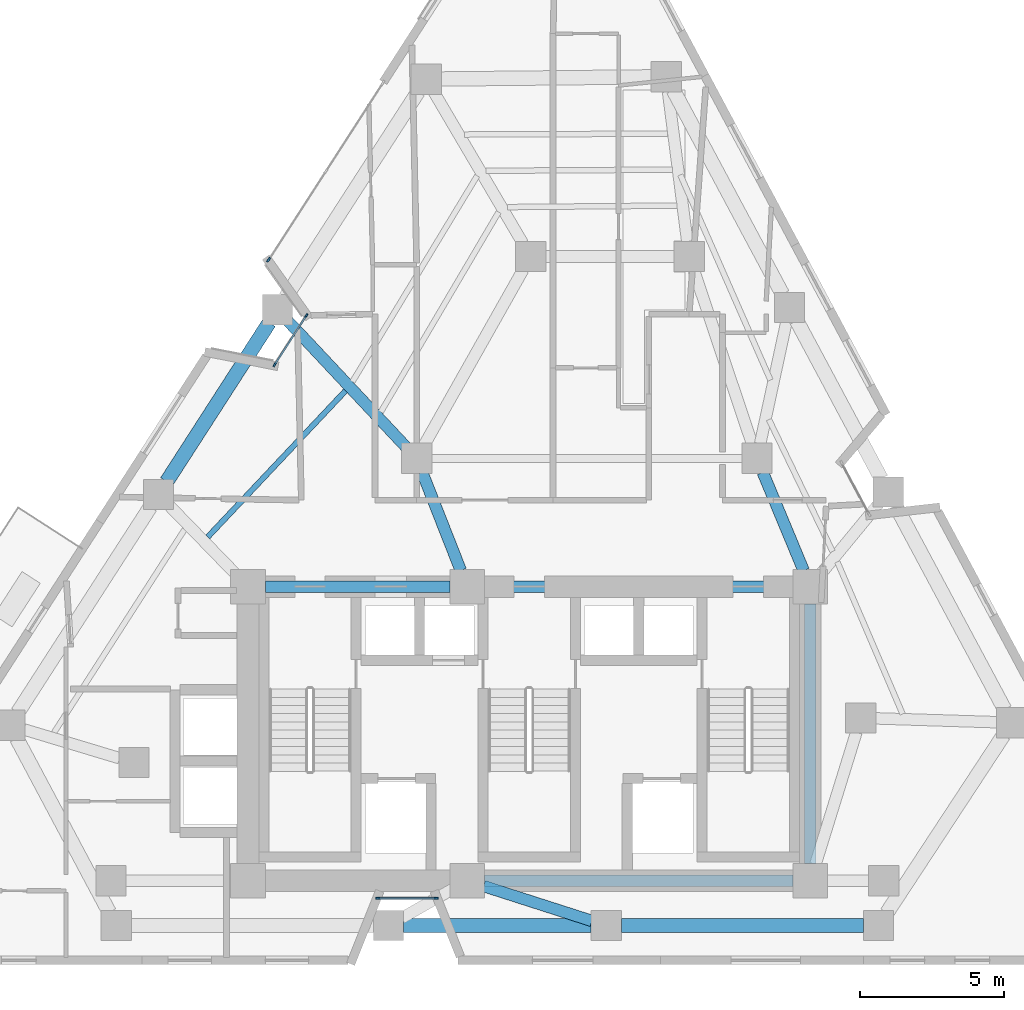
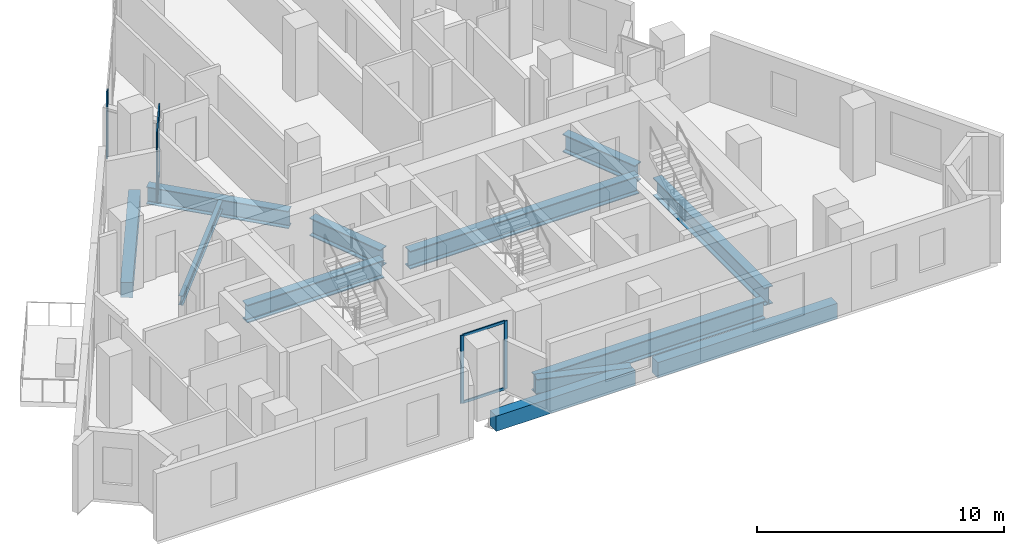
# One storey, part 2 of 11: 12 beams, 9 members, 3 elements without a shape of their own.
"""IFC4 building model written with IfcOpenShell, lengths in metres."""

from ifc_helpers import new_model, si_unit, direction, frame, origin, origin_2d, place, context, subcontext, project, spatial, rectangle, i_section, extrude, material, layer, layer_set, material_profile, profile_set, type_object, element, aggregate, save


model = new_model("IFC4")

# Units and contexts
model_context = context("Model", 3, precision=1e-05, world=origin(), true_north=direction((0.0, 1.0)))
body_context = subcontext(model_context, "Body", "Model", "MODEL_VIEW")
ifc_project = project(units=[si_unit("LENGTHUNIT", "METRE"), si_unit("AREAUNIT", "SQUARE_METRE"), si_unit("VOLUMEUNIT", "CUBIC_METRE"), si_unit("PLANEANGLEUNIT", "RADIAN"), si_unit("MASSUNIT", "GRAM", prefix="KILO")], contexts=[model_context])

# Site, building, storey
site_placement = place(None, origin())
site = spatial("IfcSite", under=ifc_project, at=site_placement, CompositionType="ELEMENT")
building_placement = place(site_placement, origin())
building = spatial("IfcBuilding", under=site, at=building_placement, Name="Almagre Mirador Tower", CompositionType="ELEMENT")
storey_placement = place(building_placement, frame((0.0, 0.0, 178.800048828125)))
storey = spatial("IfcBuildingStorey", under=building, at=storey_placement, Name="L46", CompositionType="ELEMENT", Elevation=178.800048828125)

# Beams
ifc_material_1 = material(Name="Steel ASTM A992 Grade 50", Category="steel")
ifc_material_profile_1 = material_profile(ifc_material_1, i_section(OverallWidth=0.19091796875, OverallDepth=0.4599609375, WebThickness=0.010009765625, FlangeThickness=0.01611328125, FilletRadius=0.01611328125, at=origin_2d()), Name="W18X55")
ifc_profile_set_1 = profile_set([ifc_material_profile_1], Name="Steel ASTM A992 Grade 50")
beam_type_1 = type_object("IfcBeamType", Name="BM-JST-W18X55", PredefinedType="JOIST", material=ifc_profile_set_1)
beam_1_placement = place(storey_placement, frame((30.931396484375, 21.5419921875, -0.47998046875), z_axis=(-0.685923256334, -0.727673887411, 0.0), x_axis=(0.727673887411, -0.685923256334, 0.0)))
element("IfcBeam", 1, at=beam_1_placement, inside=storey, type_object=beam_type_1, Name="L46 secondary floor joist PC10-PC11.2", PredefinedType="JOIST", context=body_context, shape_type="SweptSolid", body=[
    extrude(i_section(OverallWidth=0.19091796875, OverallDepth=0.4599609375, WebThickness=0.010009765625, FlangeThickness=0.01611328125, FilletRadius=0.01611328125, at=origin_2d()), origin(), (0.0, 0.0, 1.0), 6.964599609375),
])
ifc_material_2 = material(Name="Precast concrete C50/60", Category="concrete")
ifc_material_profile_2 = material_profile(ifc_material_2, rectangle(XDim=0.5, YDim=0.75, at=origin_2d()), Name="RC500X750")
ifc_profile_set_2 = profile_set([ifc_material_profile_2], Name="Precast concrete C50/60")
beam_type_2 = type_object("IfcBeamType", Name="BM-SPN-RC500X750", PredefinedType="SPANDREL", material=ifc_profile_set_2)
beam_2_placement = place(storey_placement, frame((32.948974609375, 3.0, -0.625), z_axis=(1.0, 0.0, 0.0), x_axis=(0.0, 1.0, 0.0)))
element("IfcBeam", 2, at=beam_2_placement, inside=storey, type_object=beam_type_2, Name="L46 perimeter spandrel beam PC02-PC03", PredefinedType="SPANDREL", context=body_context, shape_type="SweptSolid", body=[
    extrude(rectangle(XDim=0.5, YDim=0.75, at=origin_2d()), origin(), (0.0, 0.0, 1.0), 6.501953125),
])
beam_3_placement = place(storey_placement, frame((40.5009765625, 3.0, -0.625), z_axis=(1.0, 0.0, 0.0), x_axis=(0.0, 1.0, 0.0)))
element("IfcBeam", 3, at=beam_3_placement, inside=storey, type_object=beam_type_2, Name="L46 perimeter spandrel beam PC03-PC04", PredefinedType="SPANDREL", context=body_context, shape_type="SweptSolid", body=[
    extrude(rectangle(XDim=0.5, YDim=0.75, at=origin_2d()), origin(), (0.0, 0.0, 1.0), 8.39013671875),
])
beam_4_placement = place(storey_placement, frame((28.287353515625, 23.90869140625, -0.625), z_axis=(-0.542031160538, -0.840358388431, 0.0), x_axis=(0.840358388431, -0.542031160538, 0.0)))
element("IfcBeam", 4, at=beam_4_placement, inside=storey, type_object=beam_type_2, Name="L46 perimeter spandrel beam PC10-PC11", PredefinedType="SPANDREL", context=body_context, shape_type="SweptSolid", body=[
    extrude(rectangle(XDim=0.5, YDim=0.75, at=origin_2d()), origin(), (0.0, 0.0, 1.0), 6.565673828125),
])
ifc_material_3 = material(Name="Steel ASTM A992 Grade 50", Category="steel")
ifc_material_profile_3 = material_profile(ifc_material_3, i_section(OverallWidth=0.39892578125, OverallDepth=0.85595703125, WebThickness=0.018310546875, FlangeThickness=0.029296875, FilletRadius=0.02490234375, at=origin_2d()), Name="W33X201")
ifc_profile_set_3 = profile_set([ifc_material_profile_3], Name="Steel ASTM A992 Grade 50")
beam_type_3 = type_object("IfcBeamType", Name="BM-STL-W33X201", PredefinedType="BEAM", material=ifc_profile_set_3)
beam_5_placement = place(storey_placement, frame((39.47607421875, 3.160400390625, -0.677978515625), z_axis=(-0.952092949621, 0.30580878876, 0.0), x_axis=(-0.30580878876, -0.952092949621, 0.0)))
element("IfcBeam", 5, at=beam_5_placement, inside=storey, type_object=beam_type_3, Name="L46 radial floor girder PC03-CC2", PredefinedType="BEAM", context=body_context, shape_type="SweptSolid", body=[
    extrude(i_section(OverallWidth=0.39892578125, OverallDepth=0.85595703125, WebThickness=0.018310546875, FlangeThickness=0.029296875, FilletRadius=0.02490234375, at=origin_2d()), origin(), (0.0, 0.0, 1.0), 3.94384765625),
])
beam_6_placement = place(storey_placement, frame((28.93115234375, 23.967041015625, -0.677978515625), z_axis=(0.683926262896, -0.729551140717, 0.0), x_axis=(0.729551140717, 0.683926262896, 0.0)))
element("IfcBeam", 6, at=beam_6_placement, inside=storey, type_object=beam_type_3, Name="L46 radial floor girder PC10-MC8", PredefinedType="BEAM", context=body_context, shape_type="SweptSolid", body=[
    extrude(i_section(OverallWidth=0.39892578125, OverallDepth=0.85595703125, WebThickness=0.018310546875, FlangeThickness=0.029296875, FilletRadius=0.02490234375, at=origin_2d()), origin(), (0.0, 0.0, 1.0), 6.00927734375),
])
ifc_material_4 = material(Name="Steel ASTM A992 Grade 50", Category="steel")
ifc_material_profile_4 = material_profile(ifc_material_4, i_section(OverallWidth=0.404052734375, OverallDepth=0.884033203125, WebThickness=0.0244140625, FlangeThickness=0.0439453125, FilletRadius=0.02490234375, at=origin_2d()), Name="W33X291")
ifc_profile_set_4 = profile_set([ifc_material_profile_4], Name="Steel ASTM A992 Grade 50")
beam_type_4 = type_object("IfcBeamType", Name="BM-STL-W33X291", PredefinedType="BEAM", material=ifc_profile_set_4)
beam_7_placement = place(storey_placement, frame((35.75, 4.550048828125, -0.692138671875), z_axis=(1.0, 0.0, 0.0), x_axis=(0.0, 1.0, 0.0)))
element("IfcBeam", 7, at=beam_7_placement, inside=storey, type_object=beam_type_4, Name="L46 core tie girder CC2-CC3", PredefinedType="BEAM", context=body_context, shape_type="SweptSolid", body=[
    extrude(i_section(OverallWidth=0.404052734375, OverallDepth=0.884033203125, WebThickness=0.0244140625, FlangeThickness=0.0439453125, FilletRadius=0.02490234375, at=origin_2d()), origin(), (0.0, 0.0, 1.0), 10.699951171875),
])
beam_8_placement = place(storey_placement, frame((28.14990234375, 14.75, -0.692138671875), z_axis=(1.0, 0.0, 0.0), x_axis=(0.0, 1.0, 0.0)))
element("IfcBeam", 8, at=beam_8_placement, inside=storey, type_object=beam_type_4, Name="L46 core tie girder CC4-CC5", PredefinedType="BEAM", context=body_context, shape_type="SweptSolid", body=[
    extrude(i_section(OverallWidth=0.404052734375, OverallDepth=0.884033203125, WebThickness=0.0244140625, FlangeThickness=0.0439453125, FilletRadius=0.02490234375, at=origin_2d()), origin(), (0.0, 0.0, 1.0), 6.400146484375),
])
beam_9_placement = place(storey_placement, frame((35.75, 14.75, -0.692138671875), z_axis=(1.0, 0.0, 0.0), x_axis=(0.0, 1.0, 0.0)))
element("IfcBeam", 9, at=beam_9_placement, inside=storey, type_object=beam_type_4, Name="L46 core tie girder CC5-CC6", PredefinedType="BEAM", context=body_context, shape_type="SweptSolid", body=[
    extrude(i_section(OverallWidth=0.404052734375, OverallDepth=0.884033203125, WebThickness=0.0244140625, FlangeThickness=0.0439453125, FilletRadius=0.02490234375, at=origin_2d()), origin(), (0.0, 0.0, 1.0), 10.699951171875),
])
beam_10_placement = place(storey_placement, frame((47.050048828125, 5.14990234375, -0.692138671875), z_axis=(0.0, 1.0, 0.0), x_axis=(-1.0, 0.0, 0.0)))
element("IfcBeam", 10, at=beam_10_placement, inside=storey, type_object=beam_type_4, Name="L46 core tie girder CC3-CC6", PredefinedType="BEAM", context=body_context, shape_type="SweptSolid", body=[
    extrude(i_section(OverallWidth=0.404052734375, OverallDepth=0.884033203125, WebThickness=0.0244140625, FlangeThickness=0.0439453125, FilletRadius=0.02490234375, at=origin_2d()), origin(), (0.0, 0.0, 1.0), 9.0),
])
beam_11_placement = place(storey_placement, frame((45.401611328125, 18.715087890625, -0.692138671875), z_axis=(0.383845645019, -0.923397271384, 0.0), x_axis=(0.923397271384, 0.383845645019, 0.0)))
element("IfcBeam", 11, at=beam_11_placement, inside=storey, type_object=beam_type_4, Name="L46 core tie girder MC5-CC6", PredefinedType="BEAM", context=body_context, shape_type="SweptSolid", body=[
    extrude(i_section(OverallWidth=0.404052734375, OverallDepth=0.884033203125, WebThickness=0.0244140625, FlangeThickness=0.0439453125, FilletRadius=0.02490234375, at=origin_2d()), origin(), (0.0, 0.0, 1.0), 3.694091796875),
])
beam_12_placement = place(storey_placement, frame((33.592041015625, 18.71142578125, -0.692138671875), z_axis=(0.365997304164, -0.930615910752, 0.0), x_axis=(0.930615910752, 0.365997304164, 0.0)))
element("IfcBeam", 12, at=beam_12_placement, inside=storey, type_object=beam_type_4, Name="L46 core tie girder MC8-CC5", PredefinedType="BEAM", context=body_context, shape_type="SweptSolid", body=[
    extrude(i_section(OverallWidth=0.404052734375, OverallDepth=0.884033203125, WebThickness=0.0244140625, FlangeThickness=0.0439453125, FilletRadius=0.02490234375, at=origin_2d()), origin(), (0.0, 0.0, 1.0), 3.65673828125),
])

# Curtain wall, members
ifc_material_5 = material(Name="Black anodized aluminium", Category="aluminium")
ifc_layer_1 = layer(ifc_material_5, 0.169921875)
ifc_layer_set_1 = layer_set([ifc_layer_1], Name="Black anodized aluminium")
curtain_wall_type_1 = type_object("IfcCurtainWallType", Name="CW-CRS-SYS", PredefinedType="NOTDEFINED", material=ifc_layer_set_1)
curtain_wall_1_placement = place(storey_placement, origin())
curtain_wall_1 = element("IfcCurtainWall", 13, at=curtain_wall_1_placement, inside=storey, type_object=curtain_wall_type_1, Name="L46 vertical crease curtain wall 01", PredefinedType="NOTDEFINED")
ifc_material_6 = material(Name="Black anodized aluminium", Category="aluminium")
ifc_material_profile_5 = material_profile(ifc_material_6, rectangle(XDim=0.06005859375, YDim=0.14990234375, at=origin_2d()), Name="CWM60X150")
ifc_profile_set_5 = profile_set([ifc_material_profile_5], Name="Black anodized aluminium")
member_type_1 = type_object("IfcMemberType", Name="MBR-CWM60X150", PredefinedType="MULLION", material=ifc_profile_set_5)
member_1_placement = place(storey_placement, frame((28.47314453125, 22.444091796875, 0.0), z_axis=(0.0, 0.0, 1.0), x_axis=(-0.840275552061, 0.542159567478, 0.0)))
member_1 = element("IfcMember", 14, at=member_1_placement, type_object=member_type_1, Name="CW-4 mullion 1", PredefinedType="MULLION", context=body_context, shape_type="SweptSolid", body=[
    extrude(rectangle(XDim=0.06005859375, YDim=0.14990234375, at=origin_2d()), origin(), (0.0, 0.0, 1.0), 3.349853515625),
])
member_2_placement = place(storey_placement, frame((29.57373046875, 24.14990234375, 0.0), z_axis=(0.0, 0.0, 1.0), x_axis=(-0.840275552061, 0.542159567478, 0.0)))
member_2 = element("IfcMember", 15, at=member_2_placement, type_object=member_type_1, Name="CW-4 mullion 2", PredefinedType="MULLION", context=body_context, shape_type="SweptSolid", body=[
    extrude(rectangle(XDim=0.06005859375, YDim=0.14990234375, at=origin_2d()), origin(), (0.0, 0.0, 1.0), 3.349853515625),
])

curtain_wall_2_placement = place(storey_placement, origin())
curtain_wall_2 = element("IfcCurtainWall", 16, at=curtain_wall_2_placement, inside=storey, type_object=curtain_wall_type_1, Name="L46 vertical crease curtain wall 04", PredefinedType="NOTDEFINED")
member_3_placement = place(storey_placement, frame((34.0791015625, 3.949951171875, 0.0), z_axis=(0.0, 0.0, 1.0), x_axis=(0.0, -1.0, 0.0)))
member_3 = element("IfcMember", 17, at=member_3_placement, type_object=member_type_1, Name="CW-4 mullion 1", PredefinedType="MULLION", context=body_context, shape_type="SweptSolid", body=[
    extrude(rectangle(XDim=0.06005859375, YDim=0.14990234375, at=origin_2d()), origin(), (0.0, 0.0, 1.0), 3.349853515625),
])
member_4_placement = place(storey_placement, frame((32.049072265625, 3.949951171875, 0.0), z_axis=(0.0, 0.0, 1.0), x_axis=(0.0, -1.0, 0.0)))
member_4 = element("IfcMember", 18, at=member_4_placement, type_object=member_type_1, Name="CW-4 mullion 2", PredefinedType="MULLION", context=body_context, shape_type="SweptSolid", body=[
    extrude(rectangle(XDim=0.06005859375, YDim=0.14990234375, at=origin_2d()), origin(), (0.0, 0.0, 1.0), 3.349853515625),
])

# Curtain wall, member
ifc_material_7 = material(Name="Black anodized aluminium", Category="aluminium")
ifc_layer_2 = layer(ifc_material_7, 0.199951171875)
ifc_layer_set_2 = layer_set([ifc_layer_2], Name="Black anodized aluminium")
curtain_wall_type_2 = type_object("IfcCurtainWallType", Name="CW-RES-H-SYS", PredefinedType="NOTDEFINED", material=ifc_layer_set_2)
curtain_wall_3_placement = place(storey_placement, origin())
curtain_wall_3 = element("IfcCurtainWall", 19, at=curtain_wall_3_placement, inside=storey, type_object=curtain_wall_type_2, Name="L46 curtain wall run 02", PredefinedType="NOTDEFINED")
ifc_material_8 = material(Name="Black anodized aluminium", Category="aluminium")
ifc_material_profile_6 = material_profile(ifc_material_8, rectangle(XDim=0.06494140625, YDim=0.179931640625, at=origin_2d()), Name="CWM65X180")
ifc_profile_set_6 = profile_set([ifc_material_profile_6], Name="Black anodized aluminium")
member_type_2 = type_object("IfcMemberType", Name="MBR-CWM65X180", PredefinedType="MULLION", material=ifc_profile_set_6)
member_5_placement = place(storey_placement, frame((28.2646484375, 26.08642578125, 0.0), z_axis=(0.0, 0.0, 1.0), x_axis=(-0.840361480381, 0.542026366786, 0.0)))
member_5 = element("IfcMember", 20, at=member_5_placement, type_object=member_type_2, Name="CW-3 mullion 1", PredefinedType="MULLION", context=body_context, shape_type="SweptSolid", body=[
    extrude(rectangle(XDim=0.06494140625, YDim=0.179931640625, at=origin_2d()), origin(), (0.0, 0.0, 1.0), 3.349853515625),
])
aggregate(curtain_wall_3, [member_5])

# Member
ifc_material_9 = material(Name="Black anodized aluminium", Category="aluminium")
ifc_material_profile_7 = material_profile(ifc_material_9, rectangle(XDim=0.06005859375, YDim=0.1298828125, at=origin_2d()), Name="CWT60X130")
ifc_profile_set_7 = profile_set([ifc_material_profile_7], Name="Black anodized aluminium")
member_type_3 = type_object("IfcMemberType", Name="MBR-CWT60X130", PredefinedType="USERDEFINED", material=ifc_profile_set_7)
member_6_placement = place(storey_placement, frame((28.489501953125, 22.469482421875, 0.030029296875), z_axis=(0.542166395455, 0.840271146499, 0.0), x_axis=(-0.840271146499, 0.542166395455, 0.0)))
member_6 = element("IfcMember", 21, at=member_6_placement, type_object=member_type_3, Name="CW-4 transom 1.1", ObjectType="TRANSOM", PredefinedType="USERDEFINED", context=body_context, shape_type="SweptSolid", body=[
    extrude(rectangle(XDim=0.06005859375, YDim=0.1298828125, at=origin_2d()), origin(), (0.0, 0.0, 1.0), 1.9697265625),
])

member_7_placement = place(storey_placement, frame((28.489501953125, 22.469482421875, 3.320068359375), z_axis=(0.542166395455, 0.840271146499, 0.0), x_axis=(-0.840271146499, 0.542166395455, 0.0)))
member_7 = element("IfcMember", 22, at=member_7_placement, type_object=member_type_3, Name="CW-4 transom 1.2", ObjectType="TRANSOM", PredefinedType="USERDEFINED", context=body_context, shape_type="SweptSolid", body=[
    extrude(rectangle(XDim=0.06005859375, YDim=0.1298828125, at=origin_2d()), origin(), (0.0, 0.0, 1.0), 1.9697265625),
])

aggregate(curtain_wall_1, [member_1, member_2, member_6, member_7])

member_8_placement = place(storey_placement, frame((34.049072265625, 3.949951171875, 0.030029296875), z_axis=(-1.0, 0.0, 0.0), x_axis=(0.0, -1.0, 0.0)))
member_8 = element("IfcMember", 23, at=member_8_placement, type_object=member_type_3, Name="CW-4 transom 1.1", ObjectType="TRANSOM", PredefinedType="USERDEFINED", context=body_context, shape_type="SweptSolid", body=[
    extrude(rectangle(XDim=0.06005859375, YDim=0.1298828125, at=origin_2d()), origin(), (0.0, 0.0, 1.0), 1.969970703125),
])

member_9_placement = place(storey_placement, frame((34.049072265625, 3.949951171875, 3.320068359375), z_axis=(-1.0, 0.0, 0.0), x_axis=(0.0, -1.0, 0.0)))
member_9 = element("IfcMember", 24, at=member_9_placement, type_object=member_type_3, Name="CW-4 transom 1.2", ObjectType="TRANSOM", PredefinedType="USERDEFINED", context=body_context, shape_type="SweptSolid", body=[
    extrude(rectangle(XDim=0.06005859375, YDim=0.1298828125, at=origin_2d()), origin(), (0.0, 0.0, 1.0), 1.969970703125),
])

aggregate(curtain_wall_2, [member_3, member_4, member_8, member_9])

save(model, "model.ifc")
